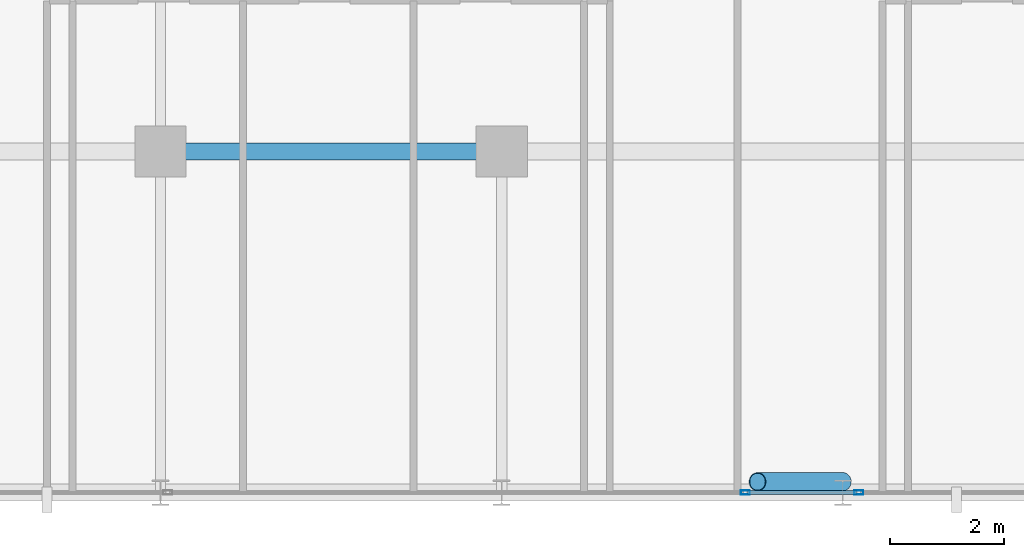
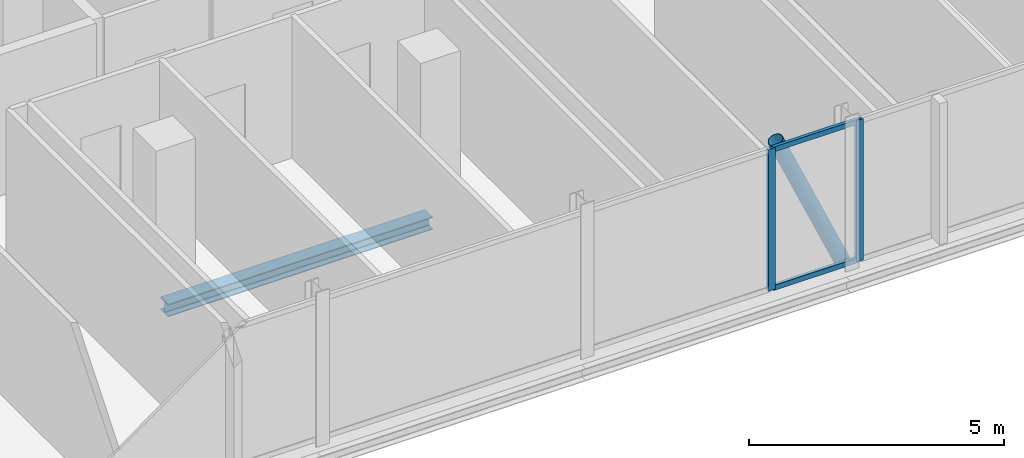
# One storey, part 10 of 29: 5 members, 1 beam, 2 elements without a shape of their own.
"""IFC4 building model written with IfcOpenShell, lengths in metres."""

from ifc_helpers import new_model, si_unit, direction, frame, origin, origin_2d, place, context, subcontext, project, spatial, hollow_rectangle, hollow_circle, i_section, extrude, material, layer, layer_set, material_profile, profile_set, type_object, element, aggregate, save


model = new_model("IFC4")

# Units and contexts
model_context = context("Model", 3, precision=1e-05, world=origin(), true_north=direction((0.0, 1.0)))
body_context = subcontext(model_context, "Body", "Model", "MODEL_VIEW")
ifc_project = project(units=[si_unit("LENGTHUNIT", "METRE"), si_unit("AREAUNIT", "SQUARE_METRE"), si_unit("VOLUMEUNIT", "CUBIC_METRE"), si_unit("PLANEANGLEUNIT", "RADIAN"), si_unit("MASSUNIT", "GRAM", prefix="KILO")], contexts=[model_context])

# Site, building, storey
site_placement = place(None, origin())
site = spatial("IfcSite", under=ifc_project, at=site_placement, CompositionType="ELEMENT")
building_placement = place(site_placement, origin())
building = spatial("IfcBuilding", under=site, at=building_placement, Name="Keshet Zoharim Tower", CompositionType="ELEMENT")
storey_placement = place(building_placement, frame((0.0, 0.0, 188.39990234375)))
storey = spatial("IfcBuildingStorey", under=building, at=storey_placement, Name="L46", CompositionType="ELEMENT", Elevation=188.39990234375)

# Beam
ifc_material_1 = material(Name="Steel S355", Category="steel")
ifc_material_profile_1 = material_profile(ifc_material_1, i_section(OverallWidth=0.300048828125, OverallDepth=0.300048828125, WebThickness=0.010986328125, FlangeThickness=0.01904296875, FilletRadius=0.027099609375, at=origin_2d()), Name="HEB300")
ifc_profile_set_1 = profile_set([ifc_material_profile_1], Name="Steel S355")
beam_type = type_object("IfcBeamType", Name="BM-PRI-HB300", PredefinedType="BEAM", material=ifc_profile_set_1)
beam_placement = place(storey_placement, frame((33.0, 6.699951171875, -0.4599609375), z_axis=(1.0, 0.0, 0.0), x_axis=(0.0, 1.0, 0.0)))
element("IfcBeam", 1, at=beam_placement, inside=storey, type_object=beam_type, Name="L46 Primary Girder X-007", PredefinedType="BEAM", context=body_context, shape_type="SweptSolid", body=[
    extrude(i_section(OverallWidth=0.300048828125, OverallDepth=0.300048828125, WebThickness=0.010986328125, FlangeThickness=0.01904296875, FilletRadius=0.027099609375, at=origin_2d()), origin(), (0.0, 0.0, 1.0), 6.0),
])

# Curtain wall, member
ifc_material_2 = material(Name="Aluminium 6063-T6", Category="aluminium")
ifc_layer = layer(ifc_material_2, 0.139892578125)
ifc_layer_set = layer_set([ifc_layer], Name="Aluminium 6063-T6")
curtain_wall_type = type_object("IfcCurtainWallType", Name="CW-SYS-05", PredefinedType="NOTDEFINED", material=ifc_layer_set)
curtain_wall_1_placement = place(storey_placement, origin())
curtain_wall_1 = element("IfcCurtainWall", 2, at=curtain_wall_1_placement, inside=storey, type_object=curtain_wall_type, Name="L46 Unitised Curtain Wall 06", PredefinedType="NOTDEFINED")
ifc_material_profile_2 = material_profile(ifc_material_2, hollow_rectangle(XDim=0.074951171875, YDim=0.159912109375, WallThickness=0.00390625, at=origin_2d()), Name="MUL-75x160")
ifc_profile_set_2 = profile_set([ifc_material_profile_2], Name="Aluminium 6063-T6")
member_type_1 = type_object("IfcMemberType", Name="CWM-M15", PredefinedType="MULLION", material=ifc_profile_set_2)
member_1_placement = place(storey_placement, frame((45.283203125, 0.699951171875, 0.0), z_axis=(0.0, 0.0, 1.0), x_axis=(0.0, -1.0, 0.0)))
member_1 = element("IfcMember", 3, at=member_1_placement, type_object=member_type_1, Name="CW-05 mullion 2", PredefinedType="MULLION", context=body_context, shape_type="SweptSolid", body=[
    extrude(hollow_rectangle(XDim=0.074951171875, YDim=0.159912109375, WallThickness=0.00390625, at=origin_2d()), origin(), (0.0, 0.0, 1.0), 3.39013671875),
])
aggregate(curtain_wall_1, [member_1])

# Curtain wall, members
curtain_wall_2_placement = place(storey_placement, origin())
curtain_wall_2 = element("IfcCurtainWall", 4, at=curtain_wall_2_placement, inside=storey, type_object=curtain_wall_type, Name="L46 Unitised Curtain Wall 06 Part 2", PredefinedType="NOTDEFINED")
member_2_placement = place(storey_placement, frame((43.286865234375, 0.699951171875, 0.0), z_axis=(0.0, 0.0, 1.0), x_axis=(0.0, -1.0, 0.0)))
member_2 = element("IfcMember", 5, at=member_2_placement, type_object=member_type_1, Name="CW-05 mullion 2", PredefinedType="MULLION", context=body_context, shape_type="SweptSolid", body=[
    extrude(hollow_rectangle(XDim=0.074951171875, YDim=0.159912109375, WallThickness=0.00390625, at=origin_2d()), origin(), (0.0, 0.0, 1.0), 3.39013671875),
])
ifc_material_profile_3 = material_profile(ifc_material_2, hollow_rectangle(XDim=0.074951171875, YDim=0.1201171875, WallThickness=0.00390625, at=origin_2d()), Name="TRN-75x120")
ifc_profile_set_3 = profile_set([ifc_material_profile_3], Name="Aluminium 6063-T6")
member_type_2 = type_object("IfcMemberType", Name="CWT-T12", PredefinedType="USERDEFINED", material=ifc_profile_set_3)
member_3_placement = place(storey_placement, frame((45.248046875, 0.699951171875, 0.03515625), z_axis=(-1.0, 0.0, 0.0), x_axis=(0.0, -1.0, 0.0)))
member_3 = element("IfcMember", 6, at=member_3_placement, type_object=member_type_2, Name="CW-05 transom 1.1", ObjectType="TRANSOM", PredefinedType="USERDEFINED", context=body_context, shape_type="SweptSolid", body=[
    extrude(hollow_rectangle(XDim=0.074951171875, YDim=0.1201171875, WallThickness=0.00390625, at=origin_2d()), origin(), (0.0, 0.0, 1.0), 1.926025390625),
])
member_4_placement = place(storey_placement, frame((45.248046875, 0.699951171875, 3.35498046875), z_axis=(-1.0, 0.0, 0.0), x_axis=(0.0, -1.0, 0.0)))
member_4 = element("IfcMember", 7, at=member_4_placement, type_object=member_type_2, Name="CW-05 transom 1.2", ObjectType="TRANSOM", PredefinedType="USERDEFINED", context=body_context, shape_type="SweptSolid", body=[
    extrude(hollow_rectangle(XDim=0.074951171875, YDim=0.1201171875, WallThickness=0.00390625, at=origin_2d()), origin(), (0.0, 0.0, 1.0), 1.926025390625),
])
aggregate(curtain_wall_2, [member_2, member_3, member_4])

# Member
ifc_material_profile_4 = material_profile(ifc_material_1, hollow_circle(Radius=0.161865234375, WallThickness=0.012451171875, at=origin_2d()), Name="CHS323x12.5")
ifc_profile_set_4 = profile_set([ifc_material_profile_4], Name="Steel S355")
member_type_3 = type_object("IfcMemberType", Name="MB-BR-C323", PredefinedType="BRACE", material=ifc_profile_set_4)
member_5_placement = place(storey_placement, frame((45.0, 0.889892578125, 0.0), z_axis=(-0.404622528463, 0.0, 0.914483793984), x_axis=(0.0, -1.0, 0.0)))
element("IfcMember", 8, at=member_5_placement, inside=storey, type_object=member_type_3, Name="L46 Perimeter Tube Brace 03", PredefinedType="BRACE", context=body_context, shape_type="SweptSolid", body=[
    extrude(hollow_circle(Radius=0.161865234375, WallThickness=0.012451171875, at=origin_2d()), origin(), (0.0, 0.0, 1.0), 3.707275390625),
])

save(model, "model.ifc")
